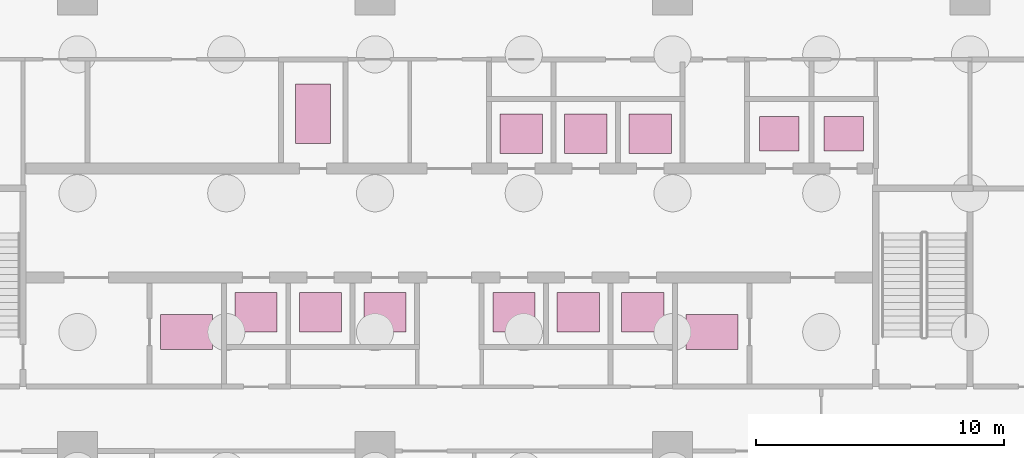
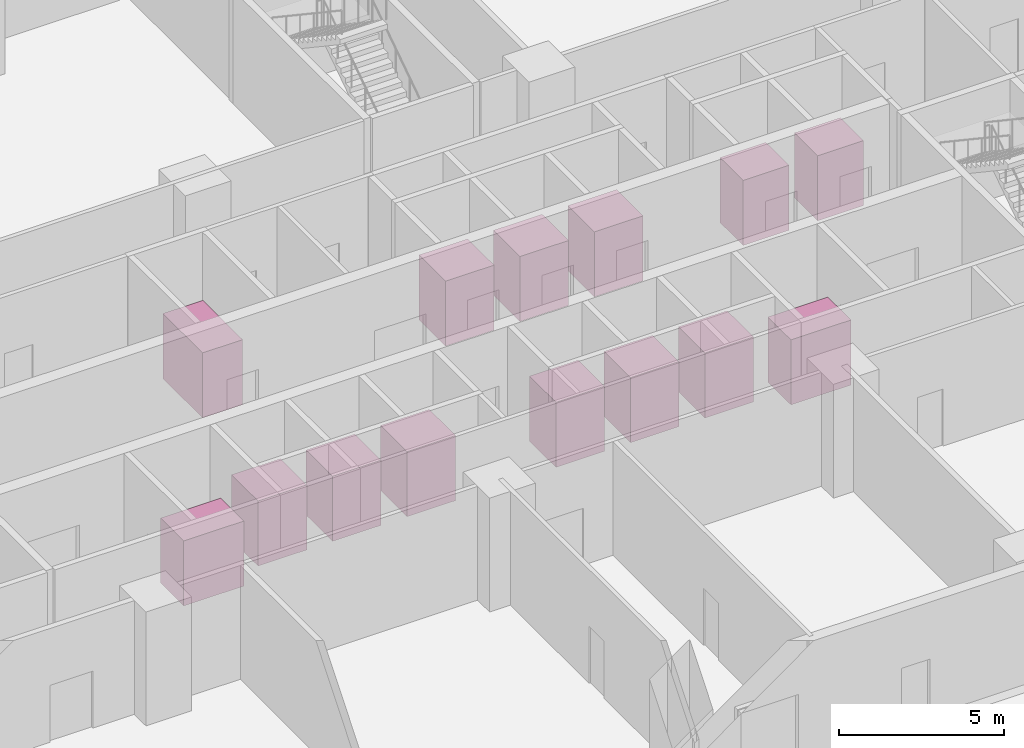
# One storey, part 27 of 27: 14 transport elements.
"""IFC4 building model written with IfcOpenShell, lengths in metres."""

from ifc_helpers import new_model, si_unit, direction, frame, origin, origin_2d, place, context, subcontext, project, spatial, rectangle, extrude, source, transform, mapped, material, type_object, element, save


model = new_model("IFC4")

# Units and contexts
model_context = context("Model", 3, precision=1e-05, world=origin(), true_north=direction((0.0, 1.0)))
body_context = subcontext(model_context, "Body", "Model", "MODEL_VIEW")
ifc_project = project(units=[si_unit("LENGTHUNIT", "METRE"), si_unit("AREAUNIT", "SQUARE_METRE"), si_unit("VOLUMEUNIT", "CUBIC_METRE"), si_unit("PLANEANGLEUNIT", "RADIAN"), si_unit("MASSUNIT", "GRAM", prefix="KILO")], contexts=[model_context])

# Site, building, storey
site_placement = place(None, origin())
site = spatial("IfcSite", under=ifc_project, at=site_placement, CompositionType="ELEMENT")
building_placement = place(site_placement, origin())
building = spatial("IfcBuilding", under=site, at=building_placement, Name="Poui Terraces", CompositionType="ELEMENT")
storey_placement = place(building_placement, origin())
storey = spatial("IfcBuildingStorey", under=building, at=storey_placement, Name="L00", CompositionType="ELEMENT", Elevation=0.0)

# Transport elements
ifc_material = material(Name="Stainless steel lift car", Category="steel")
transport_element_type_1 = type_object("IfcTransportElementType", Name="PASSENGER LIFT CAR 1700 X 1600", PredefinedType="ELEVATOR", material=ifc_material)
shared_shape_1 = source(origin(), body_context, "Body", "SweptSolid", [
    extrude(rectangle(XDim=1.699951171875, YDim=1.60009765625, at=origin_2d()), origin(), (0.0, 0.0, 1.0), 2.39990234375),
])
for number, where, z_axis, x_axis, name in (
    (1, (43.199951171875, 17.60009765625, 0.0), (0.0, 0.0, 1.0), (1.0, 0.0, 0.0), "LIFT LR1"),
    (2, (45.800048828125, 17.60009765625, 0.0), (0.0, 0.0, 1.0), (1.0, 0.0, 0.0), "LIFT LR2"),
    (3, (48.39990234375, 17.60009765625, 0.0), (0.0, 0.0, 1.0), (1.0, 0.0, 0.0), "LIFT LR3"),
    (4, (53.60009765625, 17.60009765625, 0.0), (0.0, 0.0, 1.0), (1.0, 0.0, 0.0), "LIFT LR4"),
    (5, (56.199951171875, 17.60009765625, 0.0), (0.0, 0.0, 1.0), (1.0, 0.0, 0.0), "LIFT LR5"),
    (6, (58.800048828125, 17.60009765625, 0.0), (0.0, 0.0, 1.0), (1.0, 0.0, 0.0), "LIFT LR6"),
):
    element("IfcTransportElement", number, at=place(storey_placement, frame(where, z_axis=z_axis, x_axis=x_axis)), inside=storey, type_object=transport_element_type_1, Name=name, PredefinedType="ELEVATOR", context=body_context, shape_type="MappedRepresentation", body=[
        mapped(shared_shape_1, transform((0.0, 0.0, 0.0))),
    ])
transport_element_type_2 = type_object("IfcTransportElementType", Name="SHUTTLE LIFT CAR 1700 X 1600", PredefinedType="ELEVATOR", material=ifc_material)
for number, where, z_axis, x_axis, name in (
    (7, (53.89990234375, 24.800048828125, 0.0), (0.0, 0.0, 1.0), (1.0, 0.0, 0.0), "LIFT SH1"),
    (8, (56.5, 24.800048828125, 0.0), (0.0, 0.0, 1.0), (1.0, 0.0, 0.0), "LIFT SH2"),
):
    element("IfcTransportElement", number, at=place(storey_placement, frame(where, z_axis=z_axis, x_axis=x_axis)), inside=storey, type_object=transport_element_type_2, Name=name, PredefinedType="ELEVATOR", context=body_context, shape_type="MappedRepresentation", body=[
        mapped(shared_shape_1, transform((0.0, 0.0, 0.0))),
    ])
transport_element_type_3 = type_object("IfcTransportElementType", Name="OBSERVATION LIFT CAR 1700 X 1600", PredefinedType="ELEVATOR", material=ifc_material)
transport_element_1_placement = place(storey_placement, frame((59.10009765625, 24.800048828125, 0.0), z_axis=(0.0, 0.0, 1.0), x_axis=(1.0, 0.0, 0.0)))
element("IfcTransportElement", 9, at=transport_element_1_placement, inside=storey, type_object=transport_element_type_3, Name="LIFT OB1", PredefinedType="ELEVATOR", context=body_context, shape_type="MappedRepresentation", body=[
    mapped(shared_shape_1, transform((0.0, 0.0, 0.0))),
])
transport_element_type_4 = type_object("IfcTransportElementType", Name="SERVICE LIFT CAR 1400 X 2400", PredefinedType="ELEVATOR", material=ifc_material)
shared_shape_2 = source(origin(), body_context, "Body", "SweptSolid", [
    extrude(rectangle(XDim=1.39990234375, YDim=2.39990234375, at=origin_2d()), origin(), (0.0, 0.0, 1.0), 2.39990234375),
])
transport_element_2_placement = place(storey_placement, frame((45.5, 25.60009765625, 0.0), z_axis=(0.0, 0.0, 1.0), x_axis=(1.0, 0.0, 0.0)))
element("IfcTransportElement", 10, at=transport_element_2_placement, inside=storey, type_object=transport_element_type_4, Name="LIFT SV1", PredefinedType="ELEVATOR", context=body_context, shape_type="MappedRepresentation", body=[
    mapped(shared_shape_2, transform((0.0, 0.0, 0.0))),
])
transport_element_type_5 = type_object("IfcTransportElementType", Name="PODIUM LIFT CAR 1600 X 1400", PredefinedType="ELEVATOR", material=ifc_material)
shared_shape_3 = source(origin(), body_context, "Body", "SweptSolid", [
    extrude(rectangle(XDim=1.60009765625, YDim=1.39990234375, at=origin_2d()), origin(), (0.0, 0.0, 1.0), 2.39990234375),
])
for number, where, z_axis, x_axis, name in (
    (11, (64.300048828125, 24.800048828125, 0.0), (0.0, 0.0, 1.0), (1.0, 0.0, 0.0), "LIFT PL1"),
    (12, (66.89990234375, 24.800048828125, 0.0), (0.0, 0.0, 1.0), (1.0, 0.0, 0.0), "LIFT PL2"),
):
    element("IfcTransportElement", number, at=place(storey_placement, frame(where, z_axis=z_axis, x_axis=x_axis)), inside=storey, type_object=transport_element_type_5, Name=name, PredefinedType="ELEVATOR", context=body_context, shape_type="MappedRepresentation", body=[
        mapped(shared_shape_3, transform((0.0, 0.0, 0.0))),
    ])
transport_element_type_6 = type_object("IfcTransportElementType", Name="FIREFIGHTING LIFT CAR 1400 X 2100", PredefinedType="ELEVATOR", material=ifc_material)
shared_shape_4 = source(origin(), body_context, "Body", "SweptSolid", [
    extrude(rectangle(XDim=2.10009765625, YDim=1.39990234375, at=origin_2d()), origin(), (0.0, 0.0, 1.0), 2.39990234375),
])
for number, where, z_axis, x_axis, name in (
    (13, (40.39990234375, 16.800048828125, 0.0), (0.0, 0.0, 1.0), (1.0, 0.0, 0.0), "LIFT FF1"),
    (14, (61.60009765625, 16.800048828125, 0.0), (0.0, 0.0, 1.0), (1.0, 0.0, 0.0), "LIFT FF2"),
):
    element("IfcTransportElement", number, at=place(storey_placement, frame(where, z_axis=z_axis, x_axis=x_axis)), inside=storey, type_object=transport_element_type_6, Name=name, PredefinedType="ELEVATOR", context=body_context, shape_type="MappedRepresentation", body=[
        mapped(shared_shape_4, transform((0.0, 0.0, 0.0))),
    ])

save(model, "model.ifc")
